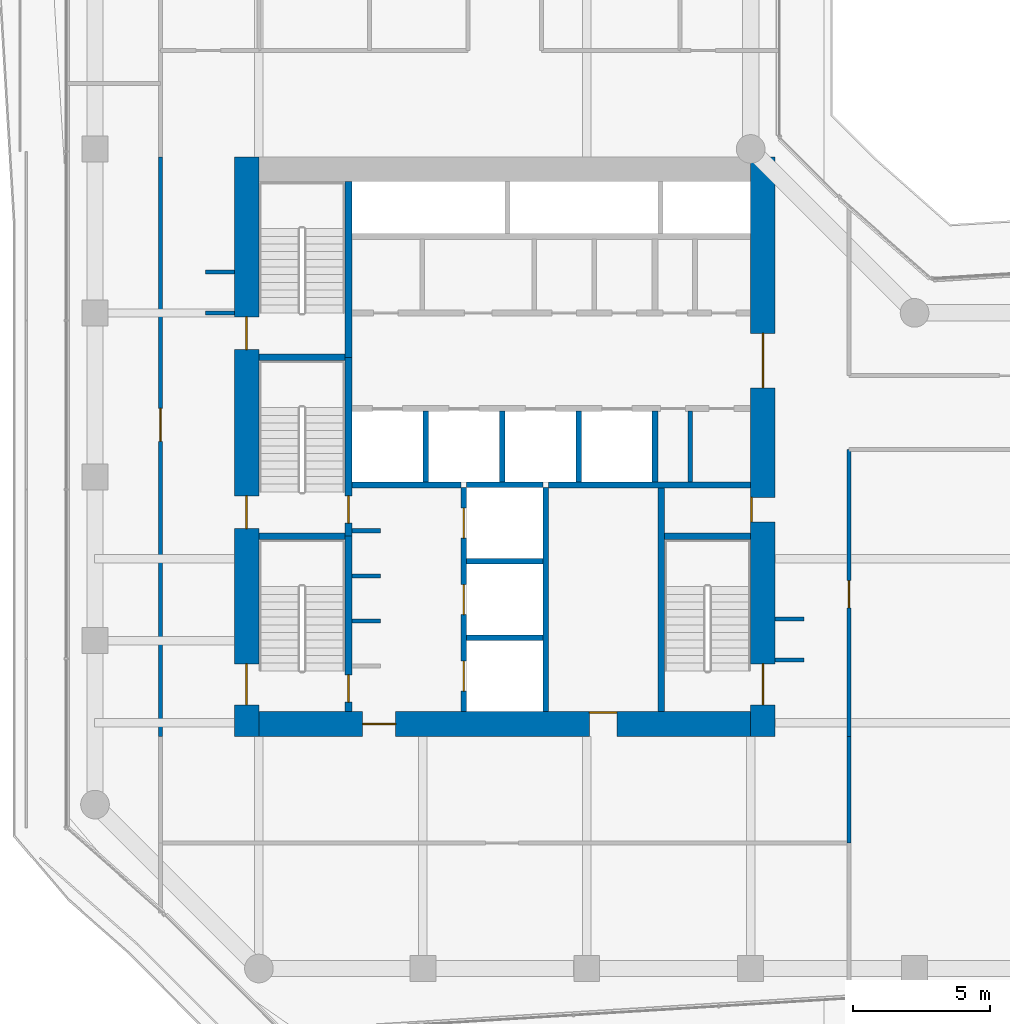
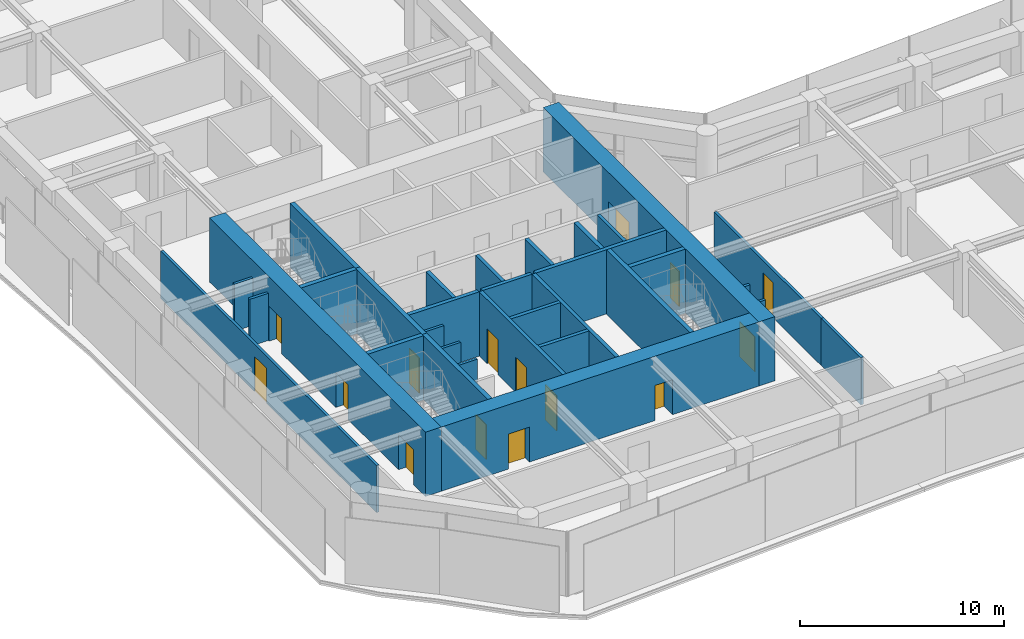
# One storey, part 23 of 29: 32 walls, 15 doors, 15 openings.
"""IFC4 building model written with IfcOpenShell, lengths in metres."""

from ifc_helpers import new_model, si_unit, direction, frame, frame_2d, origin, place, context, subcontext, project, spatial, rectangle, extrude, material, layer, layer_set, type_object, element, fill, save


model = new_model("IFC4")

# Units and contexts
model_context = context("Model", 3, precision=1e-05, world=origin(), true_north=direction((0.0, 1.0)))
body_context = subcontext(model_context, "Body", "Model", "MODEL_VIEW")
ifc_project = project(units=[si_unit("LENGTHUNIT", "METRE"), si_unit("AREAUNIT", "SQUARE_METRE"), si_unit("VOLUMEUNIT", "CUBIC_METRE"), si_unit("PLANEANGLEUNIT", "RADIAN"), si_unit("MASSUNIT", "GRAM", prefix="KILO")], contexts=[model_context])

# Site, building, storey
site_placement = place(None, origin())
site = spatial("IfcSite", under=ifc_project, at=site_placement, CompositionType="ELEMENT")
building_placement = place(site_placement, origin())
building = spatial("IfcBuilding", under=site, at=building_placement, Name="Welwitschia Terrace Campus", CompositionType="ELEMENT")
storey_placement = place(building_placement, frame((0.0, 0.0, 66.800048828125)))
storey = spatial("IfcBuildingStorey", under=building, at=storey_placement, Name="L15", CompositionType="ELEMENT", Elevation=66.800048828125)

# Walls
ifc_material_1 = material(Name="Concrete C32/40", Category="concrete")
ifc_layer_1 = layer(ifc_material_1, 0.175048828125)
ifc_layer_set_1 = layer_set([ifc_layer_1], Name="Concrete C32/40")
wall_type_1 = type_object("IfcWallType", Name="Core partition 175 Concrete C32/40", PredefinedType="PARTITIONING", material=ifc_layer_set_1)
wall_1_placement = place(storey_placement, frame((21.7900390625, 13.800048828125, 0.0), z_axis=(0.0, 0.0, 1.0), x_axis=(0.0, 1.0, 0.0)))
element("IfcWall", 1, at=wall_1_placement, inside=storey, type_object=wall_type_1, Name="Core partition", PredefinedType="PARTITIONING", context=body_context, shape_type="SweptSolid", body=[
    extrude(rectangle(XDim=2.599853515625, YDim=0.175048828125, at=frame_2d((1.2998046875, 0.0))), origin(), (0.0, 0.0, 1.0), 3.849853515625),
])
ifc_material_2 = material(Name="Concrete C32/40", Category="concrete")
ifc_layer_2 = layer(ifc_material_2, 0.22509765625)
ifc_layer_set_2 = layer_set([ifc_layer_2], Name="Concrete C32/40")
wall_type_2 = type_object("IfcWallType", Name="Core partition 225 Concrete C32/40", PredefinedType="PARTITIONING", material=ifc_layer_set_2)
wall_2_placement = place(storey_placement, frame((9.39990234375, 13.699951171875, 0.0), z_axis=(0.0, 0.0, 1.0), x_axis=(1.0, 0.0, 0.0)))
element("IfcWall", 2, at=wall_2_placement, inside=storey, type_object=wall_type_2, Name="Shaft wall", PredefinedType="PARTITIONING", context=body_context, shape_type="SweptSolid", body=[
    extrude(rectangle(XDim=4.0, YDim=0.22509765625, at=frame_2d((2.0, 0.0))), origin(), (0.0, 0.0, 1.0), 3.849853515625),
])
wall_3_placement = place(storey_placement, frame((16.60009765625, 13.699951171875, 0.0), z_axis=(0.0, 0.0, 1.0), x_axis=(1.0, 0.0, 0.0)))
element("IfcWall", 3, at=wall_3_placement, inside=storey, type_object=wall_type_2, Name="Shaft wall", PredefinedType="PARTITIONING", context=body_context, shape_type="SweptSolid", body=[
    extrude(rectangle(XDim=7.39990234375, YDim=0.22509765625, at=frame_2d((3.699951171875, 0.0))), origin(), (0.0, 0.0, 1.0), 3.849853515625),
])
wall_4_placement = place(storey_placement, frame((20.5, 13.800048828125, 0.0), z_axis=(0.0, 0.0, 1.0), x_axis=(0.0, 1.0, 0.0)))
element("IfcWall", 4, at=wall_4_placement, inside=storey, type_object=wall_type_2, Name="Shaft wall", PredefinedType="PARTITIONING", context=body_context, shape_type="SweptSolid", body=[
    extrude(rectangle(XDim=2.599853515625, YDim=0.22509765625, at=frame_2d((1.2998046875, 0.0))), origin(), (0.0, 0.0, 1.0), 3.849853515625),
])
ifc_material_3 = material(Name="Concrete C50/60", Category="concrete")
ifc_layer_3 = layer(ifc_material_3, 0.14990234375)
ifc_layer_set_3 = layer_set([ifc_layer_3], Name="Concrete C50/60")
wall_type_3 = type_object("IfcWallType", Name="Core wall 150 Concrete C50/60", PredefinedType="SHEAR", material=ifc_layer_set_3)
for number, where, z_axis, x_axis, name in (
    (5, (9.39990234375, 8.72509765625, 0.0), (0.0, 0.0, 1.0), (1.0, 0.0, 0.0), "Core wall"),
    (6, (9.39990234375, 10.375, 0.0), (0.0, 0.0, 1.0), (1.0, 0.0, 0.0), "Core wall"),
    (7, (9.39990234375, 12.02490234375, 0.0), (0.0, 0.0, 1.0), (1.0, 0.0, 0.0), "Core wall"),
):
    element("IfcWall", number, at=place(storey_placement, frame(where, z_axis=z_axis, x_axis=x_axis)), inside=storey, type_object=wall_type_3, Name=name, PredefinedType="SHEAR", context=body_context, shape_type="SweptSolid", body=[
        extrude(rectangle(XDim=1.050048828125, YDim=0.14990234375, at=frame_2d((0.52490234375, 0.0))), origin(), (0.0, 0.0, 1.0), 3.849853515625),
    ])
ifc_material_4 = material(Name="Concrete C50/60", Category="concrete")
ifc_layer_4 = layer(ifc_material_4, 0.199951171875)
ifc_layer_set_4 = layer_set([ifc_layer_4], Name="Concrete C50/60")
wall_type_4 = type_object("IfcWallType", Name="Core wall 200 Concrete C50/60", PredefinedType="SHEAR", material=ifc_layer_set_4)
for number, where, z_axis, x_axis, name in (
    (8, (13.60009765625, 8.10009765625, 0.0), (0.0, 0.0, 1.0), (1.0, 0.0, 0.0), "Core wall"),
    (9, (13.60009765625, 10.89990234375, 0.0), (0.0, 0.0, 1.0), (1.0, 0.0, 0.0), "Core wall"),
    (10, (13.60009765625, 13.699951171875, 0.0), (0.0, 0.0, 1.0), (1.0, 0.0, 0.0), "Core wall"),
):
    element("IfcWall", number, at=place(storey_placement, frame(where, z_axis=z_axis, x_axis=x_axis)), inside=storey, type_object=wall_type_4, Name=name, PredefinedType="SHEAR", context=body_context, shape_type="SweptSolid", body=[
        extrude(rectangle(XDim=2.7998046875, YDim=0.199951171875, at=frame_2d((1.39990234375, 0.0))), origin(), (0.0, 0.0, 1.0), 3.849853515625),
    ])

# Wall, openings, doors
wall_5_placement = place(storey_placement, frame((13.5, 5.39990234375, 0.0), z_axis=(0.0, 0.0, 1.0), x_axis=(0.0, 1.0, 0.0)))
wall_5 = element("IfcWall", 11, at=wall_5_placement, inside=storey, type_object=wall_type_4, Name="Core wall", PredefinedType="SHEAR", context=body_context, shape_type="SweptSolid", body=[
    extrude(rectangle(XDim=8.2001953125, YDim=0.199951171875, at=frame_2d((4.10009765625, 0.0))), origin(), (0.0, 0.0, 1.0), 3.849853515625),
])
opening_1_placement = place(wall_5_placement, frame((0.75, 0.0, 0.0)))
opening_1 = element("IfcOpeningElement", 12, at=opening_1_placement, cuts=wall_5, Name="Opening LD", PredefinedType="OPENING", context=body_context, shape_type="SweptSolid", body=[
    extrude(rectangle(XDim=1.10009765625, YDim=2.10009765625, at=frame_2d((0.550048828125, 1.050048828125))), frame((0.0, 0.10986328125, 0.0), z_axis=(0.0, -1.0, 0.0), x_axis=(1.0, 0.0, 0.0)), (0.0, 0.0, 1.0), 0.219970703125),
])
opening_2_placement = place(wall_5_placement, frame((3.550048828125, 0.0, 0.0)))
opening_2 = element("IfcOpeningElement", 13, at=opening_2_placement, cuts=wall_5, Name="Opening LD", PredefinedType="OPENING", context=body_context, shape_type="SweptSolid", body=[
    extrude(rectangle(XDim=1.10009765625, YDim=2.10009765625, at=frame_2d((0.550048828125, 1.050048828125))), frame((0.0, 0.10986328125, 0.0), z_axis=(0.0, -1.0, 0.0), x_axis=(1.0, 0.0, 0.0)), (0.0, 0.0, 1.0), 0.219970703125),
])
opening_3_placement = place(wall_5_placement, frame((6.35009765625, 0.0, 0.0)))
opening_3 = element("IfcOpeningElement", 14, at=opening_3_placement, cuts=wall_5, Name="Opening LD", PredefinedType="OPENING", context=body_context, shape_type="SweptSolid", body=[
    extrude(rectangle(XDim=1.10009765625, YDim=2.10009765625, at=frame_2d((0.550048828125, 1.050048828125))), frame((0.0, 0.10986328125, 0.0), z_axis=(0.0, -1.0, 0.0), x_axis=(1.0, 0.0, 0.0)), (0.0, 0.0, 1.0), 0.219970703125),
])
ifc_material_5 = material(Name="Stainless steel 304", Category="steel")
door_type_1 = type_object("IfcDoorType", Name="Lift landing door", OperationType="DOUBLE_DOOR_SLIDING", PredefinedType="DOOR", material=ifc_material_5)
door_1_placement = place(opening_1_placement, origin())
door_1 = element("IfcDoor", 15, at=door_1_placement, inside=storey, type_object=door_type_1, Name="Landing door FF1", OperationType="DOUBLE_DOOR_SLIDING", OverallHeight=2.10009765625, OverallWidth=1.10009765625, PredefinedType="DOOR", context=body_context, shape_type="SweptSolid", body=[
    extrude(rectangle(XDim=1.10009765625, YDim=2.10009765625, at=frame_2d((0.550048828125, 1.050048828125))), frame((0.0, 0.02490234375, 0.0), z_axis=(0.0, -1.0, 0.0), x_axis=(1.0, 0.0, 0.0)), (0.0, 0.0, 1.0), 0.050048828125),
])
fill(opening_1, door_1)
door_2_placement = place(opening_2_placement, origin())
door_2 = element("IfcDoor", 16, at=door_2_placement, inside=storey, type_object=door_type_1, Name="Landing door FF2", OperationType="DOUBLE_DOOR_SLIDING", OverallHeight=2.10009765625, OverallWidth=1.10009765625, PredefinedType="DOOR", context=body_context, shape_type="SweptSolid", body=[
    extrude(rectangle(XDim=1.10009765625, YDim=2.10009765625, at=frame_2d((0.550048828125, 1.050048828125))), frame((0.0, 0.02490234375, 0.0), z_axis=(0.0, -1.0, 0.0), x_axis=(1.0, 0.0, 0.0)), (0.0, 0.0, 1.0), 0.050048828125),
])
fill(opening_2, door_2)
door_3_placement = place(opening_3_placement, origin())
door_3 = element("IfcDoor", 17, at=door_3_placement, inside=storey, type_object=door_type_1, Name="Landing door SV1", OperationType="DOUBLE_DOOR_SLIDING", OverallHeight=2.10009765625, OverallWidth=1.10009765625, PredefinedType="DOOR", context=body_context, shape_type="SweptSolid", body=[
    extrude(rectangle(XDim=1.10009765625, YDim=2.10009765625, at=frame_2d((0.550048828125, 1.050048828125))), frame((0.0, 0.02490234375, 0.0), z_axis=(0.0, -1.0, 0.0), x_axis=(1.0, 0.0, 0.0)), (0.0, 0.0, 1.0), 0.050048828125),
])
fill(opening_3, door_3)

# Walls
wall_6_placement = place(storey_placement, frame((16.5, 5.39990234375, 0.0), z_axis=(0.0, 0.0, 1.0), x_axis=(0.0, 1.0, 0.0)))
element("IfcWall", 18, at=wall_6_placement, inside=storey, type_object=wall_type_4, Name="Core wall", PredefinedType="SHEAR", context=body_context, shape_type="SweptSolid", body=[
    extrude(rectangle(XDim=8.2001953125, YDim=0.199951171875, at=frame_2d((4.10009765625, 0.0))), origin(), (0.0, 0.0, 1.0), 3.849853515625),
])
ifc_material_6 = material(Name="Concrete C50/60", Category="concrete")
ifc_layer_5 = layer(ifc_material_6, 0.25)
ifc_layer_set_5 = layer_set([ifc_layer_5], Name="Concrete C50/60")
wall_type_5 = type_object("IfcWallType", Name="Core wall 250 Concrete C50/60", PredefinedType="SHEAR", material=ifc_layer_set_5)
for number, where, z_axis, x_axis, name in (
    (19, (6.0, 11.824951171875, 0.0), (0.0, 0.0, 1.0), (1.0, 0.0, 0.0), "Core wall"),
    (20, (20.85009765625, 11.824951171875, 0.0), (0.0, 0.0, 1.0), (1.0, 0.0, 0.0), "Core wall"),
    (21, (6.0, 18.375, 0.0), (0.0, 0.0, 1.0), (1.0, 0.0, 0.0), "Core wall"),
):
    element("IfcWall", number, at=place(storey_placement, frame(where, z_axis=z_axis, x_axis=x_axis)), inside=storey, type_object=wall_type_5, Name=name, PredefinedType="SHEAR", context=body_context, shape_type="SweptSolid", body=[
        extrude(rectangle(XDim=3.14990234375, YDim=0.25, at=frame_2d((1.574951171875, 0.0))), origin(), (0.0, 0.0, 1.0), 3.849853515625),
    ])

# Wall, opening, door
wall_7_placement = place(storey_placement, frame((9.27490234375, 11.824951171875, 0.0), z_axis=(0.0, 0.0, 1.0), x_axis=(0.0, -1.0, 0.0)))
wall_7 = element("IfcWall", 22, at=wall_7_placement, inside=storey, type_object=wall_type_5, Name="Core wall", PredefinedType="SHEAR", context=body_context, shape_type="SweptSolid", body=[
    extrude(rectangle(XDim=6.425048828125, YDim=0.25, at=frame_2d((3.21240234375, 0.0))), origin(), (0.0, 0.0, 1.0), 3.849853515625),
])
opening_4_placement = place(wall_7_placement, frame((5.074951171875, 0.0, 0.0)))
opening_4 = element("IfcOpeningElement", 23, at=opening_4_placement, cuts=wall_7, Name="Opening DS10", PredefinedType="OPENING", context=body_context, shape_type="SweptSolid", body=[
    extrude(rectangle(XDim=1.0, YDim=2.10009765625, at=frame_2d((0.5, 1.050048828125))), frame((0.0, 0.135009765625, 0.0), z_axis=(0.0, -1.0, 0.0), x_axis=(1.0, 0.0, 0.0)), (0.0, 0.0, 1.0), 0.27001953125),
])
ifc_material_7 = material(Name="Steel S275", Category="steel")
door_type_2 = type_object("IfcDoorType", Name="Core door DS10", OperationType="SINGLE_SWING_LEFT", PredefinedType="DOOR", material=ifc_material_7)
door_4_placement = place(opening_4_placement, origin())
door_4 = element("IfcDoor", 24, at=door_4_placement, inside=storey, type_object=door_type_2, Name="Door S1-FL", OperationType="SINGLE_SWING_RIGHT", OverallHeight=2.10009765625, OverallWidth=1.0, PredefinedType="DOOR", context=body_context, shape_type="SweptSolid", body=[
    extrude(rectangle(XDim=1.0, YDim=2.10009765625, at=frame_2d((0.5, 1.050048828125))), frame((0.0, 0.02490234375, 0.0), z_axis=(0.0, -1.0, 0.0), x_axis=(1.0, 0.0, 0.0)), (0.0, 0.0, 1.0), 0.050048828125),
])
fill(opening_4, door_4)

wall_8_placement = place(storey_placement, frame((9.27490234375, 18.375, 0.0), z_axis=(0.0, 0.0, 1.0), x_axis=(0.0, -1.0, 0.0)))
wall_8 = element("IfcWall", 25, at=wall_8_placement, inside=storey, type_object=wall_type_5, Name="Core wall", PredefinedType="SHEAR", context=body_context, shape_type="SweptSolid", body=[
    extrude(rectangle(XDim=6.550048828125, YDim=0.25, at=frame_2d((3.27490234375, 0.0))), origin(), (0.0, 0.0, 1.0), 3.849853515625),
])
opening_5_placement = place(wall_8_placement, frame((5.074951171875, 0.0, 0.0)))
opening_5 = element("IfcOpeningElement", 26, at=opening_5_placement, cuts=wall_8, Name="Opening DS10", PredefinedType="OPENING", context=body_context, shape_type="SweptSolid", body=[
    extrude(rectangle(XDim=1.0, YDim=2.10009765625, at=frame_2d((0.5, 1.050048828125))), frame((0.0, 0.135009765625, 0.0), z_axis=(0.0, -1.0, 0.0), x_axis=(1.0, 0.0, 0.0)), (0.0, 0.0, 1.0), 0.27001953125),
])
door_5_placement = place(opening_5_placement, origin())
door_5 = element("IfcDoor", 27, at=door_5_placement, inside=storey, type_object=door_type_2, Name="Door S3-FL", OperationType="SINGLE_SWING_RIGHT", OverallHeight=2.10009765625, OverallWidth=1.0, PredefinedType="DOOR", context=body_context, shape_type="SweptSolid", body=[
    extrude(rectangle(XDim=1.0, YDim=2.10009765625, at=frame_2d((0.5, 1.050048828125))), frame((0.0, 0.02490234375, 0.0), z_axis=(0.0, -1.0, 0.0), x_axis=(1.0, 0.0, 0.0)), (0.0, 0.0, 1.0), 0.050048828125),
])
fill(opening_5, door_5)

# Walls
wall_9_placement = place(storey_placement, frame((9.27490234375, 18.375, 0.0), z_axis=(0.0, 0.0, 1.0), x_axis=(0.0, 1.0, 0.0)))
element("IfcWall", 28, at=wall_9_placement, inside=storey, type_object=wall_type_5, Name="Core wall", PredefinedType="SHEAR", context=body_context, shape_type="SweptSolid", body=[
    extrude(rectangle(XDim=6.425048828125, YDim=0.25, at=frame_2d((3.21240234375, 0.0))), origin(), (0.0, 0.0, 1.0), 3.849853515625),
])
wall_10_placement = place(storey_placement, frame((20.72509765625, 5.39990234375, 0.0), z_axis=(0.0, 0.0, 1.0), x_axis=(0.0, 1.0, 0.0)))
element("IfcWall", 29, at=wall_10_placement, inside=storey, type_object=wall_type_5, Name="Core wall", PredefinedType="SHEAR", context=body_context, shape_type="SweptSolid", body=[
    extrude(rectangle(XDim=8.2001953125, YDim=0.25, at=frame_2d((4.10009765625, 0.0))), origin(), (0.0, 0.0, 1.0), 3.849853515625),
])

# Wall, openings, doors
ifc_material_8 = material(Name="Concrete C70/85", Category="concrete")
ifc_layer_6 = layer(ifc_material_8, 0.89990234375)
ifc_layer_set_6 = layer_set([ifc_layer_6], Name="Concrete C70/85")
wall_type_6 = type_object("IfcWallType", Name="Core wall 900 Concrete C70/85", PredefinedType="SHEAR", material=ifc_layer_set_6)
wall_11_placement = place(storey_placement, frame((5.550048828125, 4.5, 0.0), z_axis=(0.0, 0.0, 1.0), x_axis=(0.0, 1.0, 0.0)))
wall_11 = element("IfcWall", 30, at=wall_11_placement, inside=storey, type_object=wall_type_6, Name="Core outer wall", PredefinedType="SHEAR", context=body_context, shape_type="SweptSolid", body=[
    extrude(rectangle(XDim=21.199951171875, YDim=0.89990234375, at=frame_2d((10.60009765625, 0.0))), origin(), (0.0, 0.0, 1.0), 3.849853515625),
])
opening_6_placement = place(wall_11_placement, frame((1.14990234375, 0.0, 0.0)))
opening_6 = element("IfcOpeningElement", 31, at=opening_6_placement, cuts=wall_11, Name="Opening DS15", PredefinedType="OPENING", context=body_context, shape_type="SweptSolid", body=[
    extrude(rectangle(XDim=1.5, YDim=2.10009765625, at=frame_2d((0.75, 1.050048828125))), frame((0.0, 0.4599609375, 0.0), z_axis=(0.0, -1.0, 0.0), x_axis=(1.0, 0.0, 0.0)), (0.0, 0.0, 1.0), 0.919921875),
])
opening_7_placement = place(wall_11_placement, frame((7.60009765625, 0.0, 0.0)))
opening_7 = element("IfcOpeningElement", 32, at=opening_7_placement, cuts=wall_11, Name="Opening DS12", PredefinedType="OPENING", context=body_context, shape_type="SweptSolid", body=[
    extrude(rectangle(XDim=1.199951171875, YDim=2.10009765625, at=frame_2d((0.60009765625, 1.050048828125))), frame((0.0, 0.4599609375, 0.0), z_axis=(0.0, -1.0, 0.0), x_axis=(1.0, 0.0, 0.0)), (0.0, 0.0, 1.0), 0.919921875),
])
opening_8_placement = place(wall_11_placement, frame((14.14990234375, 0.0, 0.0)))
opening_8 = element("IfcOpeningElement", 33, at=opening_8_placement, cuts=wall_11, Name="Opening DS12", PredefinedType="OPENING", context=body_context, shape_type="SweptSolid", body=[
    extrude(rectangle(XDim=1.199951171875, YDim=2.10009765625, at=frame_2d((0.60009765625, 1.050048828125))), frame((0.0, 0.4599609375, 0.0), z_axis=(0.0, -1.0, 0.0), x_axis=(1.0, 0.0, 0.0)), (0.0, 0.0, 1.0), 0.919921875),
])
ifc_material_9 = material(Name="Steel S275", Category="steel")
door_type_3 = type_object("IfcDoorType", Name="Core door DS12", OperationType="SINGLE_SWING_LEFT", PredefinedType="DOOR", material=ifc_material_9)
door_6_placement = place(opening_7_placement, origin())
door_6 = element("IfcDoor", 34, at=door_6_placement, inside=storey, type_object=door_type_3, Name="Door S3-out", OperationType="SINGLE_SWING_LEFT", OverallHeight=2.10009765625, OverallWidth=1.199951171875, PredefinedType="DOOR", context=body_context, shape_type="SweptSolid", body=[
    extrude(rectangle(XDim=1.199951171875, YDim=2.10009765625, at=frame_2d((0.60009765625, 1.050048828125))), frame((0.0, 0.02490234375, 0.0), z_axis=(0.0, -1.0, 0.0), x_axis=(1.0, 0.0, 0.0)), (0.0, 0.0, 1.0), 0.050048828125),
])
fill(opening_7, door_6)
door_7_placement = place(opening_8_placement, origin())
door_7 = element("IfcDoor", 35, at=door_7_placement, inside=storey, type_object=door_type_3, Name="Door S4-out", OperationType="SINGLE_SWING_RIGHT", OverallHeight=2.10009765625, OverallWidth=1.199951171875, PredefinedType="DOOR", context=body_context, shape_type="SweptSolid", body=[
    extrude(rectangle(XDim=1.199951171875, YDim=2.10009765625, at=frame_2d((0.60009765625, 1.050048828125))), frame((0.0, 0.02490234375, 0.0), z_axis=(0.0, -1.0, 0.0), x_axis=(1.0, 0.0, 0.0)), (0.0, 0.0, 1.0), 0.050048828125),
])
fill(opening_8, door_7)
ifc_material_10 = material(Name="Steel S275", Category="steel")
door_type_4 = type_object("IfcDoorType", Name="Core door DS15", OperationType="DOUBLE_DOOR_SINGLE_SWING", PredefinedType="DOOR", material=ifc_material_10)
door_8_placement = place(opening_6_placement, origin())
door_8 = element("IfcDoor", 36, at=door_8_placement, inside=storey, type_object=door_type_4, Name="Door S1-out", OperationType="DOUBLE_DOOR_SINGLE_SWING", OverallHeight=2.10009765625, OverallWidth=1.5, PredefinedType="DOOR", context=body_context, shape_type="SweptSolid", body=[
    extrude(rectangle(XDim=1.5, YDim=2.10009765625, at=frame_2d((0.75, 1.050048828125))), frame((0.0, 0.02490234375, 0.0), z_axis=(0.0, -1.0, 0.0), x_axis=(1.0, 0.0, 0.0)), (0.0, 0.0, 1.0), 0.050048828125),
])
fill(opening_6, door_8)

wall_12_placement = place(storey_placement, frame((24.449951171875, 25.699951171875, 0.0), z_axis=(0.0, 0.0, 1.0), x_axis=(0.0, -1.0, 0.0)))
wall_12 = element("IfcWall", 37, at=wall_12_placement, inside=storey, type_object=wall_type_6, Name="Core outer wall", PredefinedType="SHEAR", context=body_context, shape_type="SweptSolid", body=[
    extrude(rectangle(XDim=21.199951171875, YDim=0.89990234375, at=frame_2d((10.60009765625, 0.0))), origin(), (0.0, 0.0, 1.0), 3.849853515625),
])
opening_9_placement = place(wall_12_placement, frame((18.550048828125, 0.0, 0.0)))
opening_9 = element("IfcOpeningElement", 38, at=opening_9_placement, cuts=wall_12, Name="Opening DS15", PredefinedType="OPENING", context=body_context, shape_type="SweptSolid", body=[
    extrude(rectangle(XDim=1.5, YDim=2.10009765625, at=frame_2d((0.75, 1.050048828125))), frame((0.0, 0.4599609375, 0.0), z_axis=(0.0, -1.0, 0.0), x_axis=(1.0, 0.0, 0.0)), (0.0, 0.0, 1.0), 0.919921875),
])
opening_10_placement = place(wall_12_placement, frame((12.449951171875, 0.0, 0.0)))
opening_10 = element("IfcOpeningElement", 39, at=opening_10_placement, cuts=wall_12, Name="Opening DR09", PredefinedType="OPENING", context=body_context, shape_type="SweptSolid", body=[
    extrude(rectangle(XDim=0.89990234375, YDim=2.10009765625, at=frame_2d((0.449951171875, 1.050048828125))), frame((0.0, 0.4599609375, 0.0), z_axis=(0.0, -1.0, 0.0), x_axis=(1.0, 0.0, 0.0)), (0.0, 0.0, 1.0), 0.919921875),
])
opening_11_placement = place(wall_12_placement, frame((6.449951171875, 0.0, 0.0)))
opening_11 = element("IfcOpeningElement", 40, at=opening_11_placement, cuts=wall_12, Name="Opening DL20", PredefinedType="OPENING", context=body_context, shape_type="SweptSolid", body=[
    extrude(rectangle(XDim=2.0, YDim=2.10009765625, at=frame_2d((1.0, 1.050048828125))), frame((0.0, 0.4599609375, 0.0), z_axis=(0.0, -1.0, 0.0), x_axis=(1.0, 0.0, 0.0)), (0.0, 0.0, 1.0), 0.919921875),
])
ifc_material_11 = material(Name="Steel S275", Category="steel")
door_type_5 = type_object("IfcDoorType", Name="Core door DL20", OperationType="DOUBLE_DOOR_SINGLE_SWING", PredefinedType="DOOR", material=ifc_material_11)
door_9_placement = place(opening_11_placement, origin())
door_9 = element("IfcDoor", 41, at=door_9_placement, inside=storey, type_object=door_type_5, Name="Door LOBBY-out", OperationType="DOUBLE_DOOR_SINGLE_SWING", OverallHeight=2.10009765625, OverallWidth=2.0, PredefinedType="DOOR", context=body_context, shape_type="SweptSolid", body=[
    extrude(rectangle(XDim=2.0, YDim=2.10009765625, at=frame_2d((1.0, 1.050048828125))), frame((0.0, 0.02490234375, 0.0), z_axis=(0.0, -1.0, 0.0), x_axis=(1.0, 0.0, 0.0)), (0.0, 0.0, 1.0), 0.050048828125),
])
fill(opening_11, door_9)
ifc_material_12 = material(Name="Steel S275", Category="steel")
door_type_6 = type_object("IfcDoorType", Name="Core door DR09", OperationType="SINGLE_SWING_LEFT", PredefinedType="DOOR", material=ifc_material_12)
door_10_placement = place(opening_10_placement, origin())
door_10 = element("IfcDoor", 42, at=door_10_placement, inside=storey, type_object=door_type_6, Name="Door F1B-out", OperationType="SINGLE_SWING_RIGHT", OverallHeight=2.10009765625, OverallWidth=0.89990234375, PredefinedType="DOOR", context=body_context, shape_type="SweptSolid", body=[
    extrude(rectangle(XDim=0.89990234375, YDim=2.10009765625, at=frame_2d((0.449951171875, 1.050048828125))), frame((0.0, -0.39013671875, 0.0), z_axis=(0.0, -1.0, 0.0), x_axis=(1.0, 0.0, 0.0)), (0.0, 0.0, 1.0), 0.050048828125),
])
fill(opening_10, door_10)
door_11_placement = place(opening_9_placement, origin())
door_11 = element("IfcDoor", 43, at=door_11_placement, inside=storey, type_object=door_type_4, Name="Door S2-out", OperationType="DOUBLE_DOOR_SINGLE_SWING", OverallHeight=2.10009765625, OverallWidth=1.5, PredefinedType="DOOR", context=body_context, shape_type="SweptSolid", body=[
    extrude(rectangle(XDim=1.5, YDim=2.10009765625, at=frame_2d((0.75, 1.050048828125))), frame((0.0, 0.02490234375, 0.0), z_axis=(0.0, -1.0, 0.0), x_axis=(1.0, 0.0, 0.0)), (0.0, 0.0, 1.0), 0.050048828125),
])
fill(opening_9, door_11)

wall_13_placement = place(storey_placement, frame((24.0, 4.949951171875, 0.0), z_axis=(0.0, 0.0, 1.0), x_axis=(-1.0, 0.0, 0.0)))
wall_13 = element("IfcWall", 44, at=wall_13_placement, inside=storey, type_object=wall_type_6, Name="Core outer wall", PredefinedType="SHEAR", context=body_context, shape_type="SweptSolid", body=[
    extrude(rectangle(XDim=18.0, YDim=0.89990234375, at=frame_2d((9.0, 0.0))), origin(), (0.0, 0.0, 1.0), 3.849853515625),
])
opening_12_placement = place(wall_13_placement, frame((13.0, 0.0, 0.0)))
opening_12 = element("IfcOpeningElement", 45, at=opening_12_placement, cuts=wall_13, Name="Opening DF12", PredefinedType="OPENING", context=body_context, shape_type="SweptSolid", body=[
    extrude(rectangle(XDim=1.199951171875, YDim=2.10009765625, at=frame_2d((0.60009765625, 1.050048828125))), frame((0.0, 0.4599609375, 0.0), z_axis=(0.0, -1.0, 0.0), x_axis=(1.0, 0.0, 0.0)), (0.0, 0.0, 1.0), 0.919921875),
])
opening_13_placement = place(wall_13_placement, frame((4.89990234375, 0.0, 0.0)))
opening_13 = element("IfcOpeningElement", 46, at=opening_13_placement, cuts=wall_13, Name="Opening DR10", PredefinedType="OPENING", context=body_context, shape_type="SweptSolid", body=[
    extrude(rectangle(XDim=1.0, YDim=2.10009765625, at=frame_2d((0.5, 1.050048828125))), frame((0.0, 0.4599609375, 0.0), z_axis=(0.0, -1.0, 0.0), x_axis=(1.0, 0.0, 0.0)), (0.0, 0.0, 1.0), 0.919921875),
])
ifc_material_13 = material(Name="Steel S275", Category="steel")
door_type_7 = type_object("IfcDoorType", Name="Core door DF12", OperationType="SINGLE_SWING_LEFT", PredefinedType="DOOR", material=ifc_material_13)
door_12_placement = place(opening_12_placement, origin())
door_12 = element("IfcDoor", 47, at=door_12_placement, inside=storey, type_object=door_type_7, Name="Door FL-out", OperationType="SINGLE_SWING_RIGHT", OverallHeight=2.10009765625, OverallWidth=1.199951171875, PredefinedType="DOOR", context=body_context, shape_type="SweptSolid", body=[
    extrude(rectangle(XDim=1.199951171875, YDim=2.10009765625, at=frame_2d((0.60009765625, 1.050048828125))), frame((0.0, 0.02490234375, 0.0), z_axis=(0.0, -1.0, 0.0), x_axis=(1.0, 0.0, 0.0)), (0.0, 0.0, 1.0), 0.050048828125),
])
fill(opening_12, door_12)
ifc_material_14 = material(Name="Steel S275", Category="steel")
door_type_8 = type_object("IfcDoorType", Name="Core door DR10", OperationType="SINGLE_SWING_LEFT", PredefinedType="DOOR", material=ifc_material_14)
door_13_placement = place(opening_13_placement, origin())
door_13 = element("IfcDoor", 48, at=door_13_placement, inside=storey, type_object=door_type_8, Name="Door F1-out", OperationType="SINGLE_SWING_LEFT", OverallHeight=2.10009765625, OverallWidth=1.0, PredefinedType="DOOR", context=body_context, shape_type="SweptSolid", body=[
    extrude(rectangle(XDim=1.0, YDim=2.10009765625, at=frame_2d((0.5, 1.050048828125))), frame((0.0, -0.39013671875, 0.0), z_axis=(0.0, -1.0, 0.0), x_axis=(1.0, 0.0, 0.0)), (0.0, 0.0, 1.0), 0.050048828125),
])
fill(opening_13, door_13)

# Wall, opening, door
ifc_material_15 = material(Name="Gypsum board on steel studs", Category="steel")
ifc_layer_7 = layer(ifc_material_15, 0.14990234375)
ifc_layer_set_7 = layer_set([ifc_layer_7], Name="Gypsum board on steel studs")
wall_type_7 = type_object("IfcWallType", Name="Corridor partition 150 EI 30", PredefinedType="PARTITIONING", material=ifc_layer_set_7)
wall_14_placement = place(storey_placement, frame((2.39990234375, 4.5, 0.0), z_axis=(0.0, 0.0, 1.0), x_axis=(0.0, 1.0, 0.0)))
wall_14 = element("IfcWall", 49, at=wall_14_placement, inside=storey, type_object=wall_type_7, Name="Partition", PredefinedType="PARTITIONING", context=body_context, shape_type="SweptSolid", body=[
    extrude(rectangle(XDim=21.199951171875, YDim=0.14990234375, at=frame_2d((10.60009765625, 0.0))), origin(), (0.0, 0.0, 1.0), 2.829833984375),
])
opening_14_placement = place(wall_14_placement, frame((10.800048828125, 0.0, 0.0)))
opening_14 = element("IfcOpeningElement", 50, at=opening_14_placement, cuts=wall_14, Name="Opening DI12", PredefinedType="OPENING", context=body_context, shape_type="SweptSolid", body=[
    extrude(rectangle(XDim=1.199951171875, YDim=2.10009765625, at=frame_2d((0.60009765625, 1.050048828125))), frame((0.0, 0.0849609375, 0.0), z_axis=(0.0, -1.0, 0.0), x_axis=(1.0, 0.0, 0.0)), (0.0, 0.0, 1.0), 0.169921875),
])
ifc_material_16 = material(Name="Timber veneered door", Category="wood")
door_type_9 = type_object("IfcDoorType", Name="Interior door DI12", OperationType="NOTDEFINED", PredefinedType="DOOR", material=ifc_material_16)
door_14_placement = place(opening_14_placement, origin())
door_14 = element("IfcDoor", 51, at=door_14_placement, inside=storey, type_object=door_type_9, Name="Door L15 335", OperationType="SINGLE_SWING_RIGHT", OverallHeight=2.10009765625, OverallWidth=1.199951171875, PredefinedType="DOOR", context=body_context, shape_type="SweptSolid", body=[
    extrude(rectangle(XDim=1.199951171875, YDim=2.10009765625, at=frame_2d((0.60009765625, 1.050048828125))), frame((0.0, 0.02490234375, 0.0), z_axis=(0.0, -1.0, 0.0), x_axis=(1.0, 0.0, 0.0)), (0.0, 0.0, 1.0), 0.050048828125),
])
fill(opening_14, door_14)

# Walls
for number, where, z_axis, x_axis, name in (
    (52, (4.050048828125, 20.0, 0.0), (0.0, 0.0, 1.0), (1.0, 0.0, 0.0), "Partition"),
    (53, (4.050048828125, 21.5, 0.0), (0.0, 0.0, 1.0), (1.0, 0.0, 0.0), "Partition"),
    (54, (24.89990234375, 7.300048828125, 0.0), (0.0, 0.0, 1.0), (1.0, 0.0, 0.0), "Partition"),
    (55, (24.89990234375, 8.800048828125, 0.0), (0.0, 0.0, 1.0), (1.0, 0.0, 0.0), "Partition"),
):
    element("IfcWall", number, at=place(storey_placement, frame(where, z_axis=z_axis, x_axis=x_axis)), inside=storey, type_object=wall_type_7, Name=name, PredefinedType="PARTITIONING", context=body_context, shape_type="SweptSolid", body=[
        extrude(rectangle(XDim=1.050048828125, YDim=0.14990234375, at=frame_2d((0.52490234375, 0.0))), origin(), (0.0, 0.0, 1.0), 2.829833984375),
    ])
wall_15_placement = place(storey_placement, frame((27.60009765625, 0.60009765625, 0.0), z_axis=(0.0, 0.0, 1.0), x_axis=(0.0, 1.0, 0.0)))
element("IfcWall", 56, at=wall_15_placement, inside=storey, type_object=wall_type_7, Name="Partition", PredefinedType="PARTITIONING", context=body_context, shape_type="SweptSolid", body=[
    extrude(rectangle(XDim=3.89990234375, YDim=0.14990234375, at=frame_2d((1.949951171875, 0.0))), origin(), (0.0, 0.0, 1.0), 2.829833984375),
])

# Wall, opening, door
wall_16_placement = place(storey_placement, frame((27.60009765625, 15.0, 0.0), z_axis=(0.0, 0.0, 1.0), x_axis=(0.0, -1.0, 0.0)))
wall_16 = element("IfcWall", 57, at=wall_16_placement, inside=storey, type_object=wall_type_7, Name="Partition", PredefinedType="PARTITIONING", context=body_context, shape_type="SweptSolid", body=[
    extrude(rectangle(XDim=10.5, YDim=0.14990234375, at=frame_2d((5.25, 0.0))), origin(), (0.0, 0.0, 1.0), 2.829833984375),
])
opening_15_placement = place(wall_16_placement, frame((4.800048828125, 0.0, 0.0)))
opening_15 = element("IfcOpeningElement", 58, at=opening_15_placement, cuts=wall_16, Name="Opening DI10", PredefinedType="OPENING", context=body_context, shape_type="SweptSolid", body=[
    extrude(rectangle(XDim=1.0, YDim=2.10009765625, at=frame_2d((0.5, 1.050048828125))), frame((0.0, 0.0849609375, 0.0), z_axis=(0.0, -1.0, 0.0), x_axis=(1.0, 0.0, 0.0)), (0.0, 0.0, 1.0), 0.169921875),
])
ifc_material_17 = material(Name="Timber veneered door", Category="wood")
door_type_10 = type_object("IfcDoorType", Name="Interior door DI10", OperationType="NOTDEFINED", PredefinedType="DOOR", material=ifc_material_17)
door_15_placement = place(opening_15_placement, origin())
door_15 = element("IfcDoor", 59, at=door_15_placement, inside=storey, type_object=door_type_10, Name="Door L15 349", OperationType="SINGLE_SWING_RIGHT", OverallHeight=2.10009765625, OverallWidth=1.0, PredefinedType="DOOR", context=body_context, shape_type="SweptSolid", body=[
    extrude(rectangle(XDim=1.0, YDim=2.10009765625, at=frame_2d((0.5, 1.050048828125))), frame((0.0, 0.02490234375, 0.0), z_axis=(0.0, -1.0, 0.0), x_axis=(1.0, 0.0, 0.0)), (0.0, 0.0, 1.0), 0.050048828125),
])
fill(opening_15, door_15)

# Walls
ifc_material_18 = material(Name="Concrete C32/40", Category="concrete")
ifc_layer_8 = layer(ifc_material_18, 0.199951171875)
ifc_layer_set_8 = layer_set([ifc_layer_8], Name="Concrete C32/40")
wall_type_8 = type_object("IfcWallType", Name="Shaft wall 200 Concrete C32/40", PredefinedType="SOLIDWALL", material=ifc_layer_set_8)
for number, where, z_axis, x_axis, name in (
    (60, (12.10009765625, 13.800048828125, 0.0), (0.0, 0.0, 1.0), (0.0, 1.0, 0.0), "Shaft wall"),
    (61, (14.89990234375, 13.800048828125, 0.0), (0.0, 0.0, 1.0), (0.0, 1.0, 0.0), "Shaft wall"),
    (62, (17.699951171875, 13.800048828125, 0.0), (0.0, 0.0, 1.0), (0.0, 1.0, 0.0), "Shaft wall"),
):
    element("IfcWall", number, at=place(storey_placement, frame(where, z_axis=z_axis, x_axis=x_axis)), inside=storey, type_object=wall_type_8, Name=name, PredefinedType="SOLIDWALL", context=body_context, shape_type="SweptSolid", body=[
        extrude(rectangle(XDim=2.599853515625, YDim=0.199951171875, at=frame_2d((1.2998046875, 0.0))), origin(), (0.0, 0.0, 1.0), 3.849853515625),
    ])

save(model, "model.ifc")
